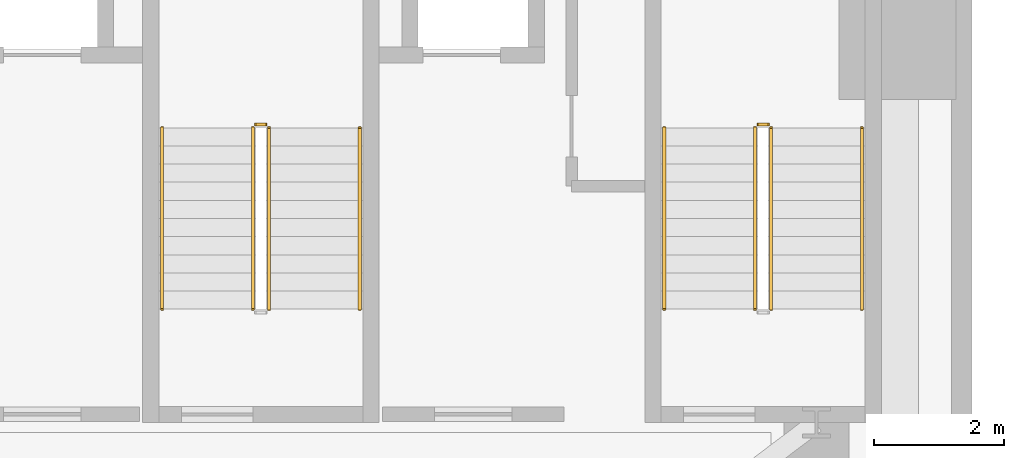
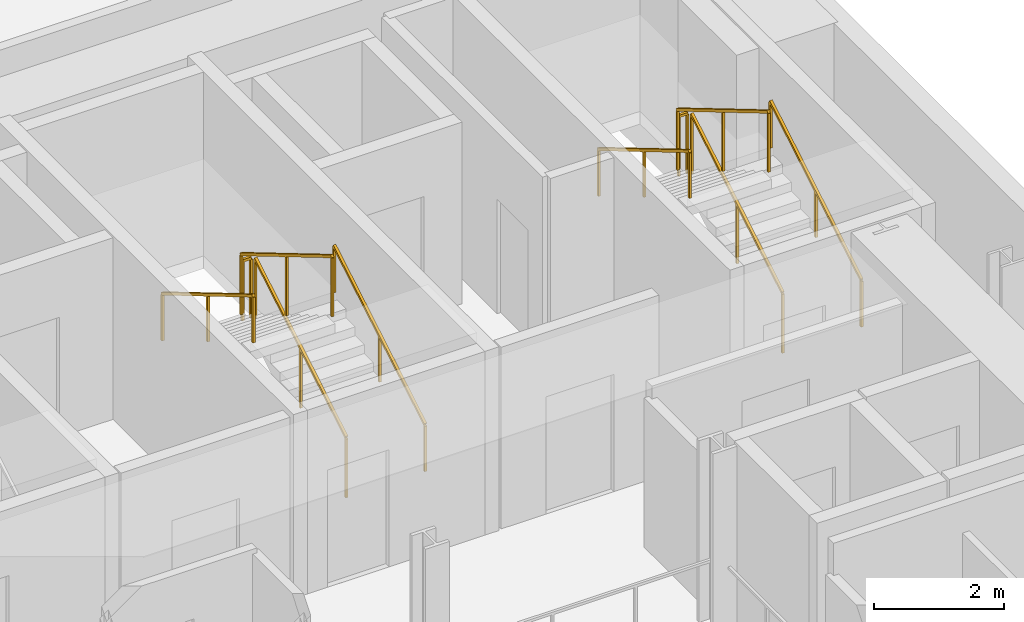
# One storey, part 13 of 13: 10 railings.
"""IFC4 building model written with IfcOpenShell, lengths in metres."""

from ifc_helpers import new_model, si_unit, direction, frame, origin, origin_2d, place, context, subcontext, project, spatial, rectangle, extrude, source, transform, mapped, material, type_object, element, save


model = new_model("IFC4")

# Units and contexts
model_context = context("Model", 3, precision=1e-05, world=origin(), true_north=direction((0.0, 1.0)))
body_context = subcontext(model_context, "Body", "Model", "MODEL_VIEW")
ifc_project = project(units=[si_unit("LENGTHUNIT", "METRE"), si_unit("AREAUNIT", "SQUARE_METRE"), si_unit("VOLUMEUNIT", "CUBIC_METRE"), si_unit("PLANEANGLEUNIT", "RADIAN"), si_unit("MASSUNIT", "GRAM", prefix="KILO")], contexts=[model_context])

# Site, building, storey
site_placement = place(None, origin())
site = spatial("IfcSite", under=ifc_project, at=site_placement, CompositionType="ELEMENT")
building_placement = place(site_placement, origin())
building = spatial("IfcBuilding", under=site, at=building_placement, Name="Vardaveli Station Tower", CompositionType="ELEMENT")
storey_placement = place(building_placement, frame((0.0, 0.0, 53.14990234375)))
storey = spatial("IfcBuildingStorey", under=building, at=storey_placement, Name="L13", CompositionType="ELEMENT", Elevation=53.14990234375)

# Railings
ifc_material = material(Name="Brushed AISI 316 stainless steel", Category="steel")
railing_type_1 = type_object("IfcRailingType", Name="RL-GUARD-1150", PredefinedType="GUARDRAIL", material=ifc_material)
shared_shape_1 = source(origin(), body_context, "Body", "SweptSolid", [
    extrude(rectangle(XDim=0.048095703125, YDim=0.048095703125, at=origin_2d()), frame((0.0, 0.0, 1.1259765625), z_axis=(-1.0, 0.0, 0.0), x_axis=(0.0, -1.0, 0.0)), (0.0, 0.0, 1.0), 0.14990234375),
    extrude(rectangle(XDim=0.0419921875, YDim=0.0419921875, at=origin_2d()), origin(), (0.0, 0.0, 1.0), 1.101806640625),
    extrude(rectangle(XDim=0.0419921875, YDim=0.0419921875, at=origin_2d()), frame((-0.14990234375, 0.0, 0.0)), (0.0, 0.0, 1.0), 1.101806640625),
])
for number, where, name in (
    (1, (38.0, 35.25, 1.8251953125), "L13 ST-2 stair guard 2"),
    (2, (45.75, 35.25, 1.8251953125), "L13 ST-3 stair guard 2"),
):
    element("IfcRailing", number, at=place(storey_placement, frame(where)), inside=storey, type_object=railing_type_1, Name=name, PredefinedType="GUARDRAIL", context=body_context, shape_type="MappedRepresentation", body=[
        mapped(shared_shape_1, transform((0.0, 0.0, 0.0), scale=1.0)),
    ])
shared_shape_2 = source(origin(), body_context, "Body", "SweptSolid", [
    extrude(rectangle(XDim=0.048095703125, YDim=0.048095703125, at=origin_2d()), frame((0.0, 0.0, 1.1259765625), z_axis=(0.0, 0.860306154799, 0.50977771628), x_axis=(-1.0, 0.0, 0.0)), (0.0, 0.0, 1.0), 3.254638671875),
    extrude(rectangle(XDim=0.0419921875, YDim=0.0419921875, at=origin_2d()), origin(), (0.0, 0.0, 1.0), 1.101806640625),
    extrude(rectangle(XDim=0.0419921875, YDim=0.0419921875, at=origin_2d()), frame((0.0, 1.39990234375, 0.82958984375)), (0.0, 0.0, 1.0), 1.101806640625),
    extrude(rectangle(XDim=0.0419921875, YDim=0.0419921875, at=origin_2d()), frame((0.0, 2.800048828125, 1.6591796875)), (0.0, 0.0, 1.0), 1.101806640625),
])
for number, where, name in (
    (3, (38.050048828125, 32.39990234375, 0.166015625), "L13 ST-2 stair guard 1"),
    (4, (45.800048828125, 32.39990234375, 0.166015625), "L13 ST-3 stair guard 1"),
):
    element("IfcRailing", number, at=place(storey_placement, frame(where)), inside=storey, type_object=railing_type_1, Name=name, PredefinedType="GUARDRAIL", context=body_context, shape_type="MappedRepresentation", body=[
        mapped(shared_shape_2, transform((0.0, 0.0, 0.0), scale=1.0)),
    ])
shared_shape_3 = source(origin(), body_context, "Body", "SweptSolid", [
    extrude(rectangle(XDim=0.048095703125, YDim=0.048095703125, at=origin_2d()), frame((0.0, 0.0, 1.1259765625), z_axis=(0.0, -0.860306154799, 0.50977771628), x_axis=(1.0, 0.0, 0.0)), (0.0, 0.0, 1.0), 3.254638671875),
    extrude(rectangle(XDim=0.0419921875, YDim=0.0419921875, at=origin_2d()), origin(), (0.0, 0.0, 1.0), 1.101806640625),
    extrude(rectangle(XDim=0.0419921875, YDim=0.0419921875, at=origin_2d()), frame((0.0, -1.39990234375, 0.82958984375)), (0.0, 0.0, 1.0), 1.101806640625),
    extrude(rectangle(XDim=0.0419921875, YDim=0.0419921875, at=origin_2d()), frame((0.0, -2.800048828125, 1.6591796875)), (0.0, 0.0, 1.0), 1.101806640625),
])
for number, where, name in (
    (5, (37.800048828125, 35.199951171875, 1.990966796875), "L13 ST-2 stair guard 3"),
    (6, (45.550048828125, 35.199951171875, 1.990966796875), "L13 ST-3 stair guard 3"),
):
    element("IfcRailing", number, at=place(storey_placement, frame(where)), inside=storey, type_object=railing_type_1, Name=name, PredefinedType="GUARDRAIL", context=body_context, shape_type="MappedRepresentation", body=[
        mapped(shared_shape_3, transform((0.0, 0.0, 0.0), scale=1.0)),
    ])
railing_type_2 = type_object("IfcRailingType", Name="RL-HAND-900", PredefinedType="HANDRAIL", material=ifc_material)
shared_shape_4 = source(origin(), body_context, "Body", "SweptSolid", [
    extrude(rectangle(XDim=0.048095703125, YDim=0.048095703125, at=origin_2d()), frame((0.0, 0.0, 0.8759765625), z_axis=(0.0, 0.860306154799, 0.50977771628), x_axis=(-1.0, 0.0, 0.0)), (0.0, 0.0, 1.0), 3.254638671875),
    extrude(rectangle(XDim=0.0419921875, YDim=0.0419921875, at=origin_2d()), origin(), (0.0, 0.0, 1.0), 0.851806640625),
    extrude(rectangle(XDim=0.0419921875, YDim=0.0419921875, at=origin_2d()), frame((0.0, 1.39990234375, 0.82958984375)), (0.0, 0.0, 1.0), 0.851806640625),
    extrude(rectangle(XDim=0.0419921875, YDim=0.0419921875, at=origin_2d()), frame((0.0, 2.800048828125, 1.6591796875)), (0.0, 0.0, 1.0), 0.851806640625),
])
for number, where, name in (
    (7, (39.449951171875, 32.39990234375, 0.166015625), "L13 ST-2 stair handrail 1"),
    (8, (47.199951171875, 32.39990234375, 0.166015625), "L13 ST-3 stair handrail 1"),
):
    element("IfcRailing", number, at=place(storey_placement, frame(where)), inside=storey, type_object=railing_type_2, Name=name, PredefinedType="HANDRAIL", context=body_context, shape_type="MappedRepresentation", body=[
        mapped(shared_shape_4, transform((0.0, 0.0, 0.0), scale=1.0)),
    ])
shared_shape_5 = source(origin(), body_context, "Body", "SweptSolid", [
    extrude(rectangle(XDim=0.048095703125, YDim=0.048095703125, at=origin_2d()), frame((0.0, 0.0, 0.8759765625), z_axis=(0.0, -0.860306154799, 0.50977771628), x_axis=(1.0, 0.0, 0.0)), (0.0, 0.0, 1.0), 3.254638671875),
    extrude(rectangle(XDim=0.0419921875, YDim=0.0419921875, at=origin_2d()), origin(), (0.0, 0.0, 1.0), 0.851806640625),
    extrude(rectangle(XDim=0.0419921875, YDim=0.0419921875, at=origin_2d()), frame((0.0, -1.39990234375, 0.82958984375)), (0.0, 0.0, 1.0), 0.851806640625),
    extrude(rectangle(XDim=0.0419921875, YDim=0.0419921875, at=origin_2d()), frame((0.0, -2.800048828125, 1.6591796875)), (0.0, 0.0, 1.0), 0.851806640625),
])
for number, where, name in (
    (9, (36.39990234375, 35.199951171875, 1.990966796875), "L13 ST-2 stair handrail 2"),
    (10, (44.14990234375, 35.199951171875, 1.990966796875), "L13 ST-3 stair handrail 2"),
):
    element("IfcRailing", number, at=place(storey_placement, frame(where)), inside=storey, type_object=railing_type_2, Name=name, PredefinedType="HANDRAIL", context=body_context, shape_type="MappedRepresentation", body=[
        mapped(shared_shape_5, transform((0.0, 0.0, 0.0), scale=1.0)),
    ])

save(model, "model.ifc")
